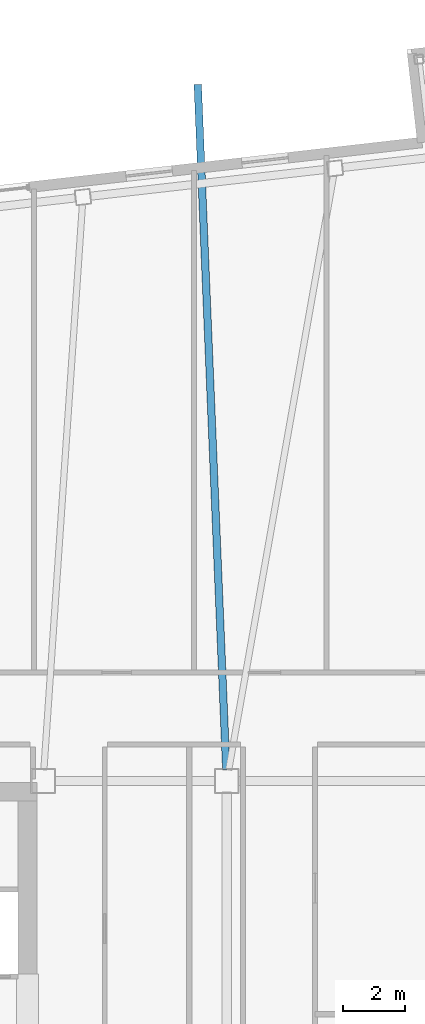
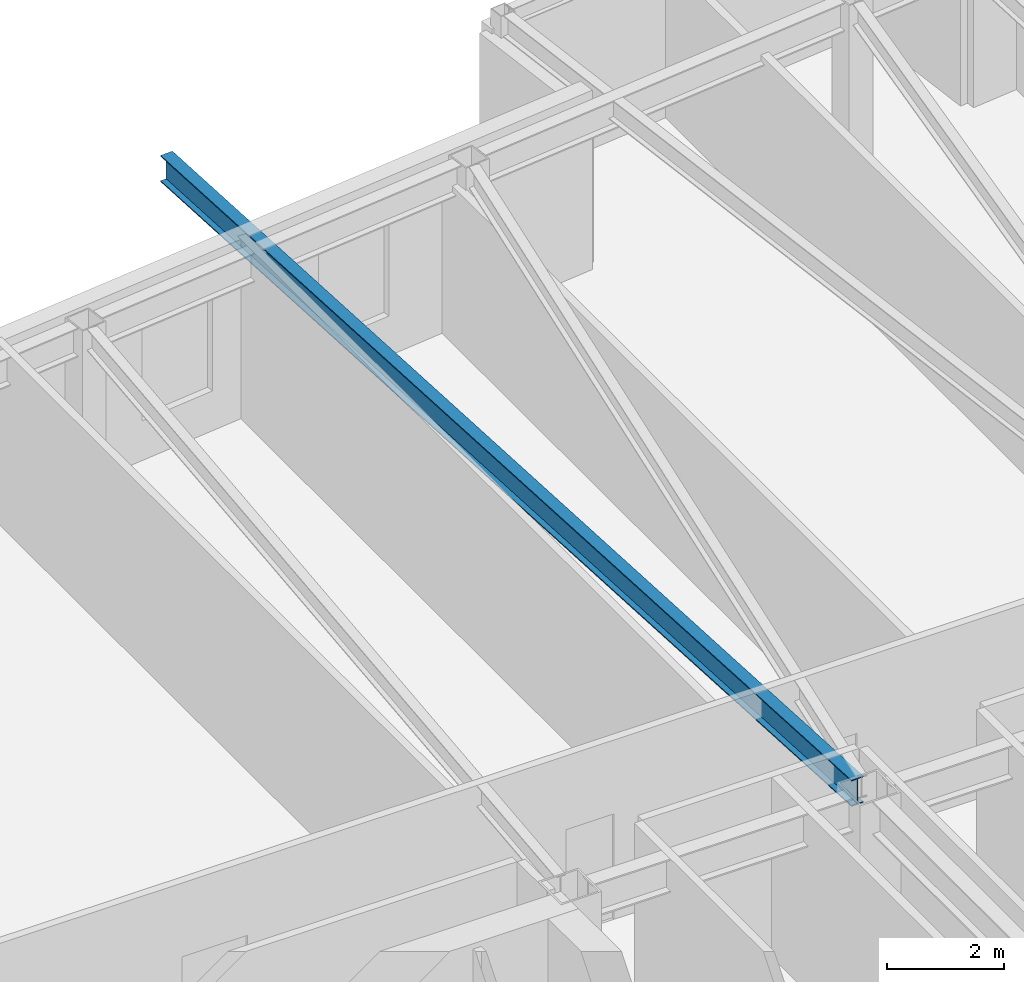
# One storey, part 11 of 21: 1 beam.
"""IFC4 building model written with IfcOpenShell, lengths in metres."""

from ifc_helpers import new_model, si_unit, direction, frame, origin, origin_2d, place, context, subcontext, project, spatial, i_section, extrude, material, material_profile, profile_set, type_object, element, save


model = new_model("IFC4")

# Units and contexts
model_context = context("Model", 3, precision=1e-05, world=origin(), true_north=direction((0.0, 1.0)))
body_context = subcontext(model_context, "Body", "Model", "MODEL_VIEW")
ifc_project = project(units=[si_unit("LENGTHUNIT", "METRE"), si_unit("AREAUNIT", "SQUARE_METRE"), si_unit("VOLUMEUNIT", "CUBIC_METRE"), si_unit("PLANEANGLEUNIT", "RADIAN"), si_unit("MASSUNIT", "GRAM", prefix="KILO")], contexts=[model_context])

# Site, building, storey
site_placement = place(None, origin())
site = spatial("IfcSite", under=ifc_project, at=site_placement, CompositionType="ELEMENT")
building_placement = place(site_placement, origin())
building = spatial("IfcBuilding", under=site, at=building_placement, Name="Tavrogorsk Clinical Tower", CompositionType="ELEMENT")
storey_placement = place(building_placement, frame((0.0, 0.0, 247.0)))
storey = spatial("IfcBuildingStorey", under=building, at=storey_placement, Name="L57", CompositionType="ELEMENT", Elevation=247.0)

# Beam
ifc_material = material(Name="Structural steel S390", Category="steel")
ifc_material_profile = material_profile(ifc_material, i_section(OverallWidth=0.239990234375, OverallDepth=0.550048828125, WebThickness=0.013916015625, FlangeThickness=0.02197265625, at=origin_2d()), Name="B-550x240x14x22")
ifc_profile_set = profile_set([ifc_material_profile], Name="Structural steel S390")
beam_type = type_object("IfcBeamType", Name="SpandrelBeam_B550", PredefinedType="SPANDREL", material=ifc_profile_set)
beam_placement = place(storey_placement, frame((-4.4150390625, 6.709716796875, 3.445068359375), z_axis=(-0.041600599799, 0.999134320348, 0.0), x_axis=(-0.999134320348, -0.041600599799, 0.0)))
element("IfcBeam", 1, at=beam_placement, inside=storey, type_object=beam_type, Name="L58 Spiral Terrace Cantilever Beam 2", PredefinedType="SPANDREL", context=body_context, shape_type="SweptSolid", body=[
    extrude(i_section(OverallWidth=0.239990234375, OverallDepth=0.550048828125, WebThickness=0.013916015625, FlangeThickness=0.02197265625, at=origin_2d()), origin(), (0.0, 0.0, 1.0), 22.042724609375),
])

save(model, "model.ifc")
